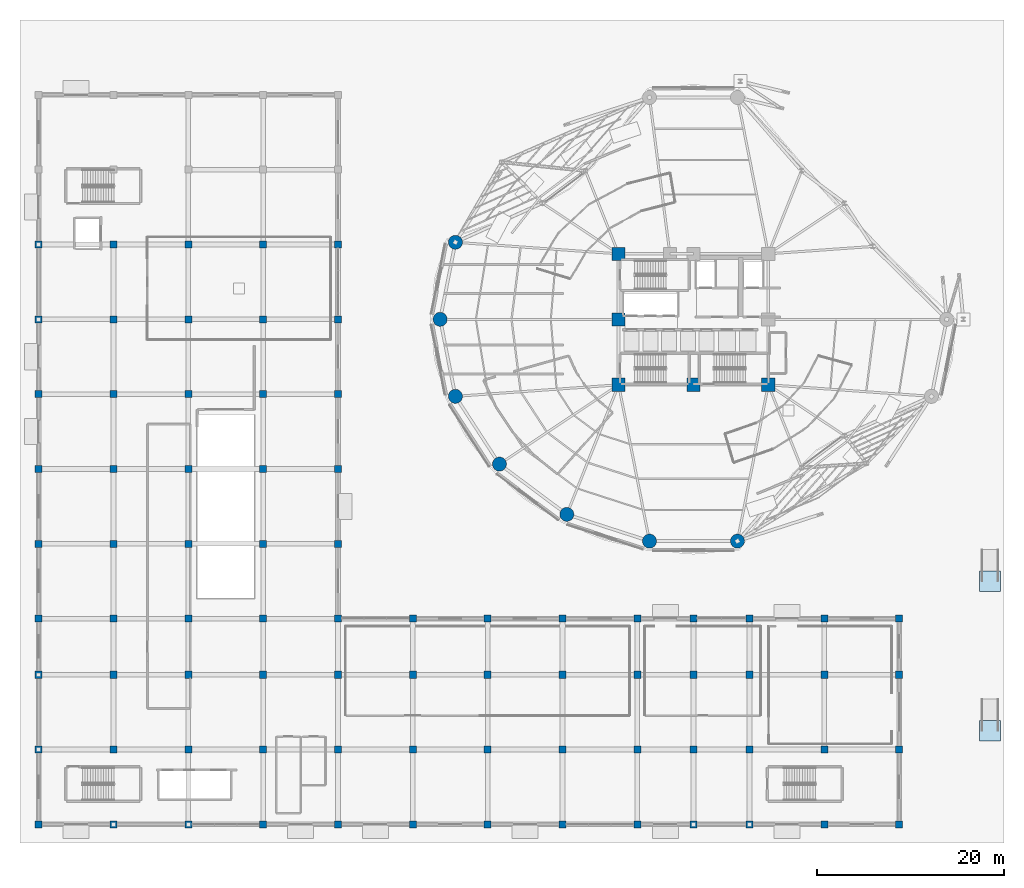
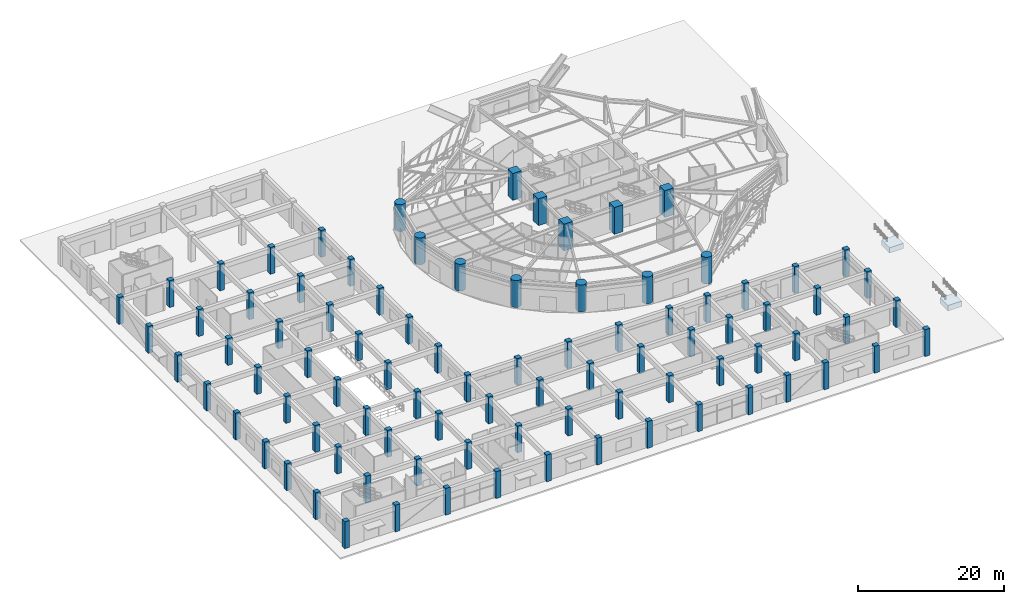
# One storey, part 1 of 40: 89 columns, 2 footings.
"""IFC4 building model written with IfcOpenShell, lengths in metres."""

from ifc_helpers import new_model, si_unit, direction, frame, origin, origin_2d, place, context, subcontext, project, spatial, rectangle, circle, extrude, source, transform, mapped, material, material_profile, profile_set, type_object, element, save


model = new_model("IFC4")

# Units and contexts
model_context = context("Model", 3, precision=1e-05, world=origin(), true_north=direction((0.0, 1.0)))
body_context = subcontext(model_context, "Body", "Model", "MODEL_VIEW")
ifc_project = project(units=[si_unit("LENGTHUNIT", "METRE"), si_unit("AREAUNIT", "SQUARE_METRE"), si_unit("VOLUMEUNIT", "CUBIC_METRE"), si_unit("PLANEANGLEUNIT", "RADIAN"), si_unit("MASSUNIT", "GRAM", prefix="KILO")], contexts=[model_context])

# Site, building, storey
site_placement = place(None, origin())
site = spatial("IfcSite", under=ifc_project, at=site_placement, CompositionType="ELEMENT")
building_placement = place(site_placement, origin())
building = spatial("IfcBuilding", under=site, at=building_placement, Name="Kelanora Arch Commons", CompositionType="ELEMENT")
storey_placement = place(building_placement, origin())
storey = spatial("IfcBuildingStorey", under=building, at=storey_placement, Name="L00", CompositionType="ELEMENT", Elevation=0.0)

# Footings
ifc_material_1 = material(Name="Concrete C40/50", Category="concrete")
footing_type = type_object("IfcFootingType", Name="FTG-RET-STRIP", PredefinedType="STRIP_FOOTING", material=ifc_material_1)
shared_shape = source(origin(), body_context, "Body", "SweptSolid", [
    extrude(rectangle(XDim=2.199951171875, YDim=2.199951171875, at=origin_2d()), origin(), (0.0, 0.0, 1.0), 0.89990234375),
])
for number, where, z_axis, x_axis, name in (
    (1, (105.699951171875, 14.0, -1.119873046875), (0.0, 0.0, 1.0), (1.0, 0.0, 0.0), "Accessible Ramp Toe Pad 01"),
    (2, (105.699951171875, 30.0, -1.119873046875), (0.0, 0.0, 1.0), (1.0, 0.0, 0.0), "Accessible Ramp Toe Pad 02"),
):
    element("IfcFooting", number, at=place(storey_placement, frame(where, z_axis=z_axis, x_axis=x_axis)), inside=storey, type_object=footing_type, Name=name, PredefinedType="STRIP_FOOTING", context=body_context, shape_type="MappedRepresentation", body=[
        mapped(shared_shape, transform((0.0, 0.0, 0.0), scale=1.0)),
    ])

# Columns
ifc_material_2 = material(Name="Concrete C50/60", Category="concrete")
ifc_material_profile_1 = material_profile(ifc_material_2, rectangle(XDim=0.75, YDim=0.75, at=origin_2d()), Name="RC750x750")
ifc_profile_set_1 = profile_set([ifc_material_profile_1], Name="Concrete C50/60")
column_type_1 = type_object("IfcColumnType", Name="COL-MKT-MAIN", PredefinedType="COLUMN", material=ifc_profile_set_1)
for number, where, z_axis, x_axis, name in (
    (3, (4.0, 4.0, 0.0), (0.0, 0.0, 1.0), (1.0, 0.0, 0.0), "Market Hall Column 1-A L00"),
    (4, (4.0, 12.0, 0.0), (0.0, 0.0, 1.0), (1.0, 0.0, 0.0), "Market Hall Column 1-B L00"),
    (5, (4.0, 20.0, 0.0), (0.0, 0.0, 1.0), (1.0, 0.0, 0.0), "Market Hall Column 1-C L00"),
    (6, (4.0, 26.0, 0.0), (0.0, 0.0, 1.0), (1.0, 0.0, 0.0), "Market Hall Column 1-D L00"),
    (7, (4.0, 34.0, 0.0), (0.0, 0.0, 1.0), (1.0, 0.0, 0.0), "Market Hall Column 1-E L00"),
    (8, (4.0, 42.0, 0.0), (0.0, 0.0, 1.0), (1.0, 0.0, 0.0), "Market Hall Column 1-F L00"),
    (9, (4.0, 50.0, 0.0), (0.0, 0.0, 1.0), (1.0, 0.0, 0.0), "Market Hall Column 1-G L00"),
    (10, (4.0, 58.0, 0.0), (0.0, 0.0, 1.0), (1.0, 0.0, 0.0), "Market Hall Column 1-H L00"),
    (11, (4.0, 66.0, 0.0), (0.0, 0.0, 1.0), (1.0, 0.0, 0.0), "Market Hall Column 1-J L00"),
    (12, (12.0, 4.0, 0.0), (0.0, 0.0, 1.0), (1.0, 0.0, 0.0), "Market Hall Column 2-A L00"),
    (13, (12.0, 12.0, 0.0), (0.0, 0.0, 1.0), (1.0, 0.0, 0.0), "Market Hall Column 2-B L00"),
    (14, (12.0, 20.0, 0.0), (0.0, 0.0, 1.0), (1.0, 0.0, 0.0), "Market Hall Column 2-C L00"),
    (15, (12.0, 26.0, 0.0), (0.0, 0.0, 1.0), (1.0, 0.0, 0.0), "Market Hall Column 2-D L00"),
    (16, (12.0, 34.0, 0.0), (0.0, 0.0, 1.0), (1.0, 0.0, 0.0), "Market Hall Column 2-E L00"),
    (17, (12.0, 42.0, 0.0), (0.0, 0.0, 1.0), (1.0, 0.0, 0.0), "Market Hall Column 2-F L00"),
    (18, (12.0, 50.0, 0.0), (0.0, 0.0, 1.0), (1.0, 0.0, 0.0), "Market Hall Column 2-G L00"),
    (19, (12.0, 58.0, 0.0), (0.0, 0.0, 1.0), (1.0, 0.0, 0.0), "Market Hall Column 2-H L00"),
    (20, (12.0, 66.0, 0.0), (0.0, 0.0, 1.0), (1.0, 0.0, 0.0), "Market Hall Column 2-J L00"),
    (21, (20.0, 4.0, 0.0), (0.0, 0.0, 1.0), (1.0, 0.0, 0.0), "Market Hall Column 3-A L00"),
    (22, (20.0, 12.0, 0.0), (0.0, 0.0, 1.0), (1.0, 0.0, 0.0), "Market Hall Column 3-B L00"),
    (23, (20.0, 20.0, 0.0), (0.0, 0.0, 1.0), (1.0, 0.0, 0.0), "Market Hall Column 3-C L00"),
    (24, (20.0, 26.0, 0.0), (0.0, 0.0, 1.0), (1.0, 0.0, 0.0), "Market Hall Column 3-D L00"),
    (25, (20.0, 34.0, 0.0), (0.0, 0.0, 1.0), (1.0, 0.0, 0.0), "Market Hall Column 3-E L00"),
    (26, (20.0, 42.0, 0.0), (0.0, 0.0, 1.0), (1.0, 0.0, 0.0), "Market Hall Column 3-F L00"),
    (27, (20.0, 50.0, 0.0), (0.0, 0.0, 1.0), (1.0, 0.0, 0.0), "Market Hall Column 3-G L00"),
    (28, (20.0, 58.0, 0.0), (0.0, 0.0, 1.0), (1.0, 0.0, 0.0), "Market Hall Column 3-H L00"),
    (29, (20.0, 66.0, 0.0), (0.0, 0.0, 1.0), (1.0, 0.0, 0.0), "Market Hall Column 3-J L00"),
    (30, (28.0, 4.0, 0.0), (0.0, 0.0, 1.0), (1.0, 0.0, 0.0), "Market Hall Column 4-A L00"),
    (31, (28.0, 12.0, 0.0), (0.0, 0.0, 1.0), (1.0, 0.0, 0.0), "Market Hall Column 4-B L00"),
    (32, (28.0, 20.0, 0.0), (0.0, 0.0, 1.0), (1.0, 0.0, 0.0), "Market Hall Column 4-C L00"),
    (33, (28.0, 26.0, 0.0), (0.0, 0.0, 1.0), (1.0, 0.0, 0.0), "Market Hall Column 4-D L00"),
    (34, (28.0, 34.0, 0.0), (0.0, 0.0, 1.0), (1.0, 0.0, 0.0), "Market Hall Column 4-E L00"),
    (35, (28.0, 42.0, 0.0), (0.0, 0.0, 1.0), (1.0, 0.0, 0.0), "Market Hall Column 4-F L00"),
    (36, (28.0, 50.0, 0.0), (0.0, 0.0, 1.0), (1.0, 0.0, 0.0), "Market Hall Column 4-G L00"),
    (37, (28.0, 58.0, 0.0), (0.0, 0.0, 1.0), (1.0, 0.0, 0.0), "Market Hall Column 4-H L00"),
    (38, (28.0, 66.0, 0.0), (0.0, 0.0, 1.0), (1.0, 0.0, 0.0), "Market Hall Column 4-J L00"),
    (39, (36.0, 4.0, 0.0), (0.0, 0.0, 1.0), (1.0, 0.0, 0.0), "Market Hall Column 5-A L00"),
    (40, (36.0, 12.0, 0.0), (0.0, 0.0, 1.0), (1.0, 0.0, 0.0), "Market Hall Column 5-B L00"),
    (41, (36.0, 20.0, 0.0), (0.0, 0.0, 1.0), (1.0, 0.0, 0.0), "Market Hall Column 5-C L00"),
    (42, (36.0, 26.0, 0.0), (0.0, 0.0, 1.0), (1.0, 0.0, 0.0), "Market Hall Column 5-D L00"),
    (43, (36.0, 34.0, 0.0), (0.0, 0.0, 1.0), (1.0, 0.0, 0.0), "Market Hall Column 5-E L00"),
    (44, (36.0, 42.0, 0.0), (0.0, 0.0, 1.0), (1.0, 0.0, 0.0), "Market Hall Column 5-F L00"),
    (45, (36.0, 50.0, 0.0), (0.0, 0.0, 1.0), (1.0, 0.0, 0.0), "Market Hall Column 5-G L00"),
    (46, (36.0, 58.0, 0.0), (0.0, 0.0, 1.0), (1.0, 0.0, 0.0), "Market Hall Column 5-H L00"),
    (47, (36.0, 66.0, 0.0), (0.0, 0.0, 1.0), (1.0, 0.0, 0.0), "Market Hall Column 5-J L00"),
    (48, (44.0, 4.0, 0.0), (0.0, 0.0, 1.0), (1.0, 0.0, 0.0), "Market Hall Column 6-A L00"),
    (49, (44.0, 12.0, 0.0), (0.0, 0.0, 1.0), (1.0, 0.0, 0.0), "Market Hall Column 6-B L00"),
    (50, (44.0, 20.0, 0.0), (0.0, 0.0, 1.0), (1.0, 0.0, 0.0), "Market Hall Column 6-C L00"),
    (51, (44.0, 26.0, 0.0), (0.0, 0.0, 1.0), (1.0, 0.0, 0.0), "Market Hall Column 6-D L00"),
    (52, (52.0, 4.0, 0.0), (0.0, 0.0, 1.0), (1.0, 0.0, 0.0), "Market Hall Column 7-A L00"),
    (53, (52.0, 12.0, 0.0), (0.0, 0.0, 1.0), (1.0, 0.0, 0.0), "Market Hall Column 7-B L00"),
    (54, (52.0, 20.0, 0.0), (0.0, 0.0, 1.0), (1.0, 0.0, 0.0), "Market Hall Column 7-C L00"),
    (55, (52.0, 26.0, 0.0), (0.0, 0.0, 1.0), (1.0, 0.0, 0.0), "Market Hall Column 7-D L00"),
    (56, (60.0, 4.0, 0.0), (0.0, 0.0, 1.0), (1.0, 0.0, 0.0), "Market Hall Column 8-A L00"),
    (57, (60.0, 12.0, 0.0), (0.0, 0.0, 1.0), (1.0, 0.0, 0.0), "Market Hall Column 8-B L00"),
    (58, (60.0, 20.0, 0.0), (0.0, 0.0, 1.0), (1.0, 0.0, 0.0), "Market Hall Column 8-C L00"),
    (59, (60.0, 26.0, 0.0), (0.0, 0.0, 1.0), (1.0, 0.0, 0.0), "Market Hall Column 8-D L00"),
    (60, (68.0, 4.0, 0.0), (0.0, 0.0, 1.0), (1.0, 0.0, 0.0), "Market Hall Column 9-A L00"),
    (61, (68.0, 12.0, 0.0), (0.0, 0.0, 1.0), (1.0, 0.0, 0.0), "Market Hall Column 9-B L00"),
    (62, (68.0, 20.0, 0.0), (0.0, 0.0, 1.0), (1.0, 0.0, 0.0), "Market Hall Column 9-C L00"),
    (63, (68.0, 26.0, 0.0), (0.0, 0.0, 1.0), (1.0, 0.0, 0.0), "Market Hall Column 9-D L00"),
    (64, (74.0, 4.0, 0.0), (0.0, 0.0, 1.0), (1.0, 0.0, 0.0), "Market Hall Column 10-A L00"),
    (65, (74.0, 12.0, 0.0), (0.0, 0.0, 1.0), (1.0, 0.0, 0.0), "Market Hall Column 10-B L00"),
    (66, (74.0, 20.0, 0.0), (0.0, 0.0, 1.0), (1.0, 0.0, 0.0), "Market Hall Column 10-C L00"),
    (67, (74.0, 26.0, 0.0), (0.0, 0.0, 1.0), (1.0, 0.0, 0.0), "Market Hall Column 10-D L00"),
    (68, (80.0, 4.0, 0.0), (0.0, 0.0, 1.0), (1.0, 0.0, 0.0), "Market Hall Column 11-A L00"),
    (69, (80.0, 12.0, 0.0), (0.0, 0.0, 1.0), (1.0, 0.0, 0.0), "Market Hall Column 11-B L00"),
    (70, (80.0, 20.0, 0.0), (0.0, 0.0, 1.0), (1.0, 0.0, 0.0), "Market Hall Column 11-C L00"),
    (71, (80.0, 26.0, 0.0), (0.0, 0.0, 1.0), (1.0, 0.0, 0.0), "Market Hall Column 11-D L00"),
    (72, (88.0, 4.0, 0.0), (0.0, 0.0, 1.0), (1.0, 0.0, 0.0), "Market Hall Column 12-A L00"),
    (73, (88.0, 12.0, 0.0), (0.0, 0.0, 1.0), (1.0, 0.0, 0.0), "Market Hall Column 12-B L00"),
    (74, (88.0, 20.0, 0.0), (0.0, 0.0, 1.0), (1.0, 0.0, 0.0), "Market Hall Column 12-C L00"),
    (75, (88.0, 26.0, 0.0), (0.0, 0.0, 1.0), (1.0, 0.0, 0.0), "Market Hall Column 12-D L00"),
    (76, (96.0, 4.0, 0.0), (0.0, 0.0, 1.0), (1.0, 0.0, 0.0), "Market Hall Column 13-A L00"),
    (77, (96.0, 12.0, 0.0), (0.0, 0.0, 1.0), (1.0, 0.0, 0.0), "Market Hall Column 13-B L00"),
    (78, (96.0, 20.0, 0.0), (0.0, 0.0, 1.0), (1.0, 0.0, 0.0), "Market Hall Column 13-C L00"),
    (79, (96.0, 26.0, 0.0), (0.0, 0.0, 1.0), (1.0, 0.0, 0.0), "Market Hall Column 13-D L00"),
):
    element("IfcColumn", number, at=place(storey_placement, frame(where, z_axis=z_axis, x_axis=x_axis)), inside=storey, type_object=column_type_1, Name=name, PredefinedType="COLUMN", context=body_context, shape_type="SweptSolid", body=[
        extrude(rectangle(XDim=0.75, YDim=0.75, at=origin_2d()), origin(), (0.0, 0.0, 1.0), 4.5),
    ])
ifc_material_3 = material(Name="Concrete C60/75", Category="concrete")
ifc_material_profile_2 = material_profile(ifc_material_3, circle(Radius=0.75, at=origin_2d()), Name="RCC1500")
ifc_profile_set_2 = profile_set([ifc_material_profile_2], Name="Concrete C60/75")
column_type_2 = type_object("IfcColumnType", Name="COL-PERIM-Z1", PredefinedType="COLUMN", material=ifc_profile_set_2)
for number, where, z_axis, x_axis, name in (
    (80, (48.552978515625, 66.23583984375, 0.0), (0.0, 0.0, 1.0), (1.0, 0.0, 0.0), "Perimeter Ring Column CP-16 L00"),
    (81, (46.919921875, 58.0, 0.0), (0.0, 0.0, 1.0), (1.0, 0.0, 0.0), "Perimeter Ring Column CP-18 L00"),
    (82, (48.552978515625, 49.76416015625, 0.0), (0.0, 0.0, 1.0), (1.0, 0.0, 0.0), "Perimeter Ring Column CP-20 L00"),
    (83, (53.255615234375, 42.521728515625, 0.0), (0.0, 0.0, 1.0), (1.0, 0.0, 0.0), "Perimeter Ring Column CP-22 L00"),
    (84, (60.4599609375, 37.14599609375, 0.0), (0.0, 0.0, 1.0), (1.0, 0.0, 0.0), "Perimeter Ring Column CP-24 L00"),
    (85, (69.297607421875, 34.285888671875, 0.0), (0.0, 0.0, 1.0), (1.0, 0.0, 0.0), "Perimeter Ring Column CP-26 L00"),
    (86, (78.702392578125, 34.285888671875, 0.0), (0.0, 0.0, 1.0), (1.0, 0.0, 0.0), "Perimeter Ring Column CP-28 L00"),
):
    element("IfcColumn", number, at=place(storey_placement, frame(where, z_axis=z_axis, x_axis=x_axis)), inside=storey, type_object=column_type_2, Name=name, PredefinedType="COLUMN", context=body_context, shape_type="SweptSolid", body=[
        extrude(circle(Radius=0.75, at=origin_2d()), origin(), (0.0, 0.0, 1.0), 4.5),
    ])
ifc_material_profile_3 = material_profile(ifc_material_3, rectangle(XDim=1.39990234375, YDim=1.39990234375, at=origin_2d()), Name="RC1400x1400")
ifc_profile_set_3 = profile_set([ifc_material_profile_3], Name="Concrete C60/75")
column_type_3 = type_object("IfcColumnType", Name="COL-PIL-LOW", PredefinedType="PILASTER", material=ifc_profile_set_3)
for number, where, z_axis, x_axis, name in (
    (87, (66.0, 51.0, 0.0), (0.0, 0.0, 1.0), (1.0, 0.0, 0.0), "Core Pilaster Column CP1 L00"),
    (88, (74.0, 51.0, 0.0), (0.0, 0.0, 1.0), (1.0, 0.0, 0.0), "Core Pilaster Column CP2 L00"),
    (89, (82.0, 51.0, 0.0), (0.0, 0.0, 1.0), (1.0, 0.0, 0.0), "Core Pilaster Column CP3 L00"),
    (90, (66.0, 65.0, 0.0), (0.0, 0.0, 1.0), (1.0, 0.0, 0.0), "Core Pilaster Column CP7 L00"),
    (91, (66.0, 58.0, 0.0), (0.0, 0.0, 1.0), (1.0, 0.0, 0.0), "Core Pilaster Column CP8 L00"),
):
    element("IfcColumn", number, at=place(storey_placement, frame(where, z_axis=z_axis, x_axis=x_axis)), inside=storey, type_object=column_type_3, Name=name, PredefinedType="PILASTER", context=body_context, shape_type="SweptSolid", body=[
        extrude(rectangle(XDim=1.39990234375, YDim=1.39990234375, at=origin_2d()), origin(), (0.0, 0.0, 1.0), 4.5),
    ])

save(model, "model.ifc")
